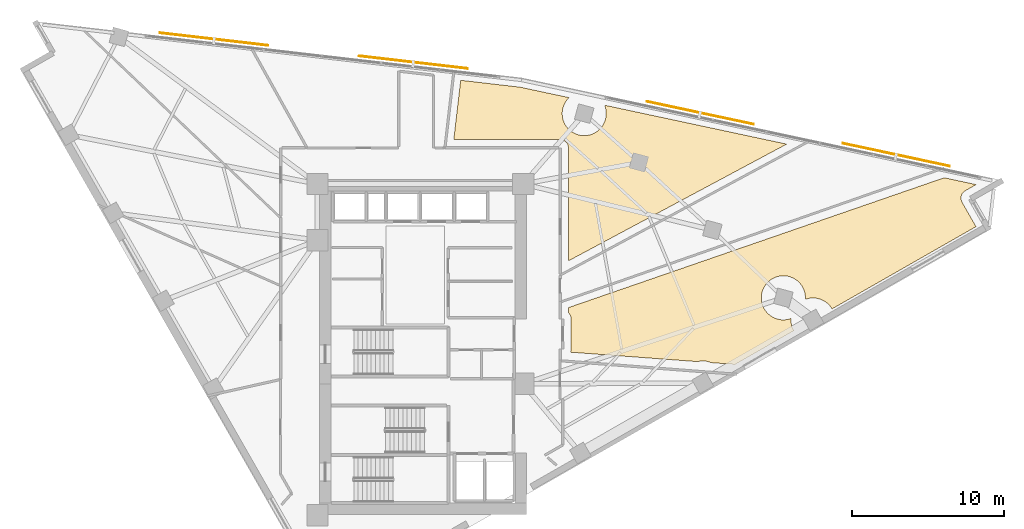
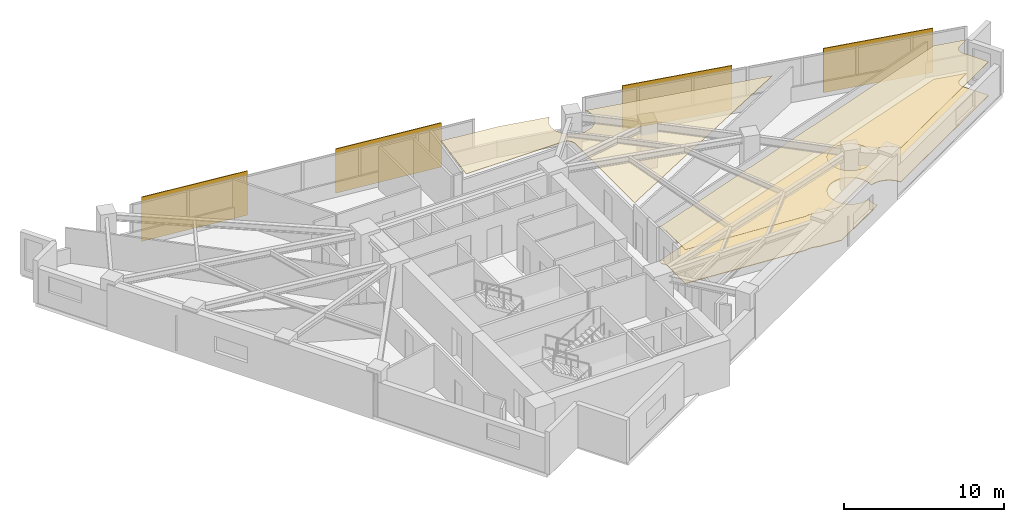
# One storey, part 14 of 14: 4 shading devices, 3 coverings.
"""IFC4 building model written with IfcOpenShell, lengths in metres."""

from ifc_helpers import new_model, si_unit, direction, frame, origin, origin_2d, place, context, subcontext, project, spatial, polyline, rectangle, outline, extrude, material, layer, layer_set, type_object, element, save


model = new_model("IFC4")

# Units and contexts
model_context = context("Model", 3, precision=1e-05, world=origin(), true_north=direction((0.0, 1.0)))
body_context = subcontext(model_context, "Body", "Model", "MODEL_VIEW")
ifc_project = project(units=[si_unit("LENGTHUNIT", "METRE"), si_unit("AREAUNIT", "SQUARE_METRE"), si_unit("VOLUMEUNIT", "CUBIC_METRE"), si_unit("PLANEANGLEUNIT", "RADIAN"), si_unit("MASSUNIT", "GRAM", prefix="KILO")], contexts=[model_context])

# Site, building, storey
site_placement = place(None, origin())
site = spatial("IfcSite", under=ifc_project, at=site_placement, CompositionType="ELEMENT")
building_placement = place(site_placement, origin())
building = spatial("IfcBuilding", under=site, at=building_placement, Name="Narakoshi Arena Tower", CompositionType="ELEMENT")
storey_placement = place(building_placement, frame((0.0, 0.0, 218.5)))
storey = spatial("IfcBuildingStorey", under=building, at=storey_placement, Name="L59", CompositionType="ELEMENT", Elevation=218.5)

# Coverings
ifc_material_1 = material(Name="Acoustic mineral-fibre ceiling tile")
ifc_layer_1 = layer(ifc_material_1, 0.02001953125)
ifc_layer_set_1 = layer_set([ifc_layer_1], Name="Acoustic mineral-fibre ceiling tile")
covering_type_1 = type_object("IfcCoveringType", Name="COV-CLG-AC20", PredefinedType="CEILING", material=ifc_layer_set_1)
covering_1_placement = place(storey_placement, frame((0.0, 0.0, 2.590087890625)))
element("IfcCovering", 1, at=covering_1_placement, inside=storey, type_object=covering_type_1, Name="L59 Suspended Acoustic Ceiling 1", PredefinedType="CEILING", context=body_context, shape_type="SweptSolid", body=[
    extrude(outline(polyline([(88.522216796875, 48.365234375), (113.254638671875, 56.912109375), (115.35791015625, 56.462890625), (114.636962890625, 56.05078125), (114.591552734375, 56.021728515625), (114.549072265625, 55.98828125), (114.510009765625, 55.950927734375), (114.47509765625, 55.909912109375), (114.444091796875, 55.86572265625), (114.417724609375, 55.818603515625), (114.39599609375, 55.769287109375), (114.37939453125, 55.718017578125), (114.36767578125, 55.665283203125), (114.361083984375, 55.61181640625), (114.360107421875, 55.5576171875), (114.3642578125, 55.50390625), (114.373779296875, 55.45068359375), (114.38818359375, 55.398681640625), (114.407958984375, 55.348388671875), (114.432373046875, 55.30029296875), (115.35009765625, 53.694580078125), (105.872314453125, 48.27734375), (105.825439453125, 48.355712890625), (105.74072265625, 48.469970703125), (105.64501953125, 48.5751953125), (105.539794921875, 48.6708984375), (105.42529296875, 48.755615234375), (105.30322265625, 48.828857421875), (105.1748046875, 48.8896484375), (105.040771484375, 48.9375), (104.902587890625, 48.97216796875), (104.761962890625, 48.992919921875), (104.619873046875, 49.0), (104.477783203125, 48.992919921875), (104.3369140625, 48.97216796875), (104.198974609375, 48.9375), (104.11376953125, 48.906982421875), (104.118896484375, 49.009521484375), (104.11181640625, 49.151611328125), (104.0908203125, 49.29248046875), (104.056396484375, 49.430419921875), (104.00830078125, 49.564453125), (103.947509765625, 49.693115234375), (103.87451171875, 49.815185546875), (103.789794921875, 49.929443359375), (103.694091796875, 50.034912109375), (103.588623046875, 50.13037109375), (103.474365234375, 50.215087890625), (103.352294921875, 50.288330078125), (103.2236328125, 50.34912109375), (103.089599609375, 50.397216796875), (102.95166015625, 50.431640625), (102.810791015625, 50.452392578125), (102.668701171875, 50.45947265625), (102.526611328125, 50.452392578125), (102.385986328125, 50.431640625), (102.247802734375, 50.397216796875), (102.114013671875, 50.34912109375), (101.9853515625, 50.288330078125), (101.86328125, 50.215087890625), (101.748779296875, 50.13037109375), (101.6435546875, 50.034912109375), (101.5478515625, 49.929443359375), (101.463134765625, 49.815185546875), (101.389892578125, 49.693115234375), (101.3291015625, 49.564453125), (101.28125, 49.430419921875), (101.24658203125, 49.29248046875), (101.225830078125, 49.151611328125), (101.21875, 49.009521484375), (101.225830078125, 48.867431640625), (101.24658203125, 48.7265625), (101.28125, 48.588623046875), (101.3291015625, 48.45458984375), (101.389892578125, 48.325927734375), (101.463134765625, 48.203857421875), (101.5478515625, 48.089599609375), (101.6435546875, 47.984130859375), (101.748779296875, 47.888671875), (101.86328125, 47.803955078125), (101.9853515625, 47.730712890625), (102.114013671875, 47.669921875), (102.247802734375, 47.621826171875), (102.385986328125, 47.58740234375), (102.526611328125, 47.56640625), (102.668701171875, 47.5595703125), (102.810791015625, 47.56640625), (102.95166015625, 47.58740234375), (103.089599609375, 47.621826171875), (103.1748046875, 47.65234375), (103.169921875, 47.550048828125), (103.1767578125, 47.407958984375), (103.19775390625, 47.26708984375), (103.232177734375, 47.129150390625), (103.2802734375, 46.9951171875), (103.341064453125, 46.866455078125), (103.35693359375, 46.83984375), (99.484619140625, 44.62646484375), (97.92578125, 44.7421875), (97.921875, 44.744140625), (97.787841796875, 44.792236328125), (97.64990234375, 44.82666015625), (97.509033203125, 44.84765625), (97.366943359375, 44.8544921875), (97.224853515625, 44.84765625), (97.083984375, 44.82666015625), (97.0166015625, 44.809814453125), (88.654296875, 45.43115234375), (88.658203125, 45.439453125), (88.67626953125, 45.490234375), (88.689453125, 45.542724609375), (88.697509765625, 45.59619140625), (88.699951171875, 45.64990234375), (88.699951171875, 47.6201171875), (88.697509765625, 47.673828125), (88.689453125, 47.727294921875), (88.67626953125, 47.77978515625), (88.658203125, 47.83056640625), (88.635009765625, 47.87939453125), (88.607421875, 47.925537109375), (88.5751953125, 47.968994140625), (88.538818359375, 48.0087890625), (88.522216796875, 48.024169921875), (88.522216796875, 48.365234375)])), origin(), (0.0, 0.0, 1.0), 0.02001953125),
])
ifc_material_2 = material(Name="Slatted oak acoustic timber baffle", Category="wood")
ifc_layer_2 = layer(ifc_material_2, 0.034912109375)
ifc_layer_set_2 = layer_set([ifc_layer_2], Name="Slatted oak acoustic timber baffle")
covering_type_2 = type_object("IfcCoveringType", Name="COV-CLG-WD35", PredefinedType="CEILING", material=ifc_layer_set_2)
covering_2_placement = place(storey_placement, frame((0.0, 0.0, 2.574951171875)))
element("IfcCovering", 2, at=covering_2_placement, inside=storey, type_object=covering_type_2, Name="L59 Suspended Acoustic Ceiling 2", PredefinedType="CEILING", context=body_context, shape_type="SweptSolid", body=[
    extrude(outline(polyline([(88.56494140625, 62.18603515625), (88.536376953125, 62.159912109375), (88.440673828125, 62.0546875), (88.35595703125, 61.940185546875), (88.28271484375, 61.818115234375), (88.221923828125, 61.689697265625), (88.174072265625, 61.5556640625), (88.139404296875, 61.41748046875), (88.11865234375, 61.27685546875), (88.111572265625, 61.134765625), (88.11865234375, 60.99267578125), (88.139404296875, 60.851806640625), (88.174072265625, 60.7138671875), (88.221923828125, 60.579833984375), (88.28271484375, 60.451171875), (88.35595703125, 60.3291015625), (88.440673828125, 60.21484375), (88.536376953125, 60.109375), (88.6416015625, 60.013916015625), (88.756103515625, 59.92919921875), (88.878173828125, 59.85595703125), (89.006591796875, 59.795166015625), (89.140625, 59.7470703125), (89.27880859375, 59.712646484375), (89.41943359375, 59.691650390625), (89.5615234375, 59.684814453125), (89.70361328125, 59.691650390625), (89.844482421875, 59.712646484375), (89.982421875, 59.7470703125), (90.116455078125, 59.795166015625), (90.2451171875, 59.85595703125), (90.3671875, 59.92919921875), (90.4814453125, 60.013916015625), (90.5869140625, 60.109375), (90.6826171875, 60.21484375), (90.76708984375, 60.3291015625), (90.84033203125, 60.451171875), (90.901123046875, 60.579833984375), (90.94921875, 60.7138671875), (90.983642578125, 60.851806640625), (91.004638671875, 60.99267578125), (91.01171875, 61.134765625), (91.004638671875, 61.27685546875), (90.983642578125, 61.41748046875), (90.94921875, 61.5556640625), (90.902099609375, 61.686767578125), (102.88818359375, 59.12646484375), (88.522216796875, 51.439453125), (88.522216796875, 58.872314453125), (88.51953125, 58.926025390625), (88.51171875, 58.9794921875), (88.49853515625, 59.031982421875), (88.480224609375, 59.082763671875), (88.457275390625, 59.131591796875), (88.429443359375, 59.177734375), (88.3974609375, 59.22119140625), (88.361083984375, 59.260986328125), (88.321044921875, 59.29736328125), (88.27783203125, 59.32958984375), (88.2314453125, 59.357421875), (88.1826171875, 59.38037109375), (88.1318359375, 59.3984375), (88.07958984375, 59.41162109375), (88.026123046875, 59.419677734375), (87.97216796875, 59.422119140625), (80.977294921875, 59.422119140625), (81.4326171875, 63.327392578125), (85.34033203125, 62.875), (88.56494140625, 62.18603515625)])), origin(), (0.0, 0.0, 1.0), 0.03515625),
])
ifc_material_3 = material(Name="Raised steel access floor panel", Category="steel")
ifc_layer_3 = layer(ifc_material_3, 0.044921875)
ifc_layer_set_3 = layer_set([ifc_layer_3], Name="Raised steel access floor panel")
covering_type_3 = type_object("IfcCoveringType", Name="COV-FLR-RF45", PredefinedType="FLOORING", material=ifc_layer_set_3)
covering_3_placement = place(storey_placement, origin())
element("IfcCovering", 3, at=covering_3_placement, inside=storey, type_object=covering_type_3, Name="L59 Raised Steel Access Floor", PredefinedType="FLOORING", context=body_context, shape_type="SweptSolid", body=[
    extrude(outline(polyline([(88.522216796875, 48.365234375), (113.254638671875, 56.912109375), (115.35791015625, 56.462890625), (114.636962890625, 56.05078125), (114.591552734375, 56.021728515625), (114.549072265625, 55.98828125), (114.510009765625, 55.950927734375), (114.47509765625, 55.909912109375), (114.444091796875, 55.86572265625), (114.417724609375, 55.818603515625), (114.39599609375, 55.769287109375), (114.37939453125, 55.718017578125), (114.36767578125, 55.665283203125), (114.361083984375, 55.61181640625), (114.360107421875, 55.5576171875), (114.3642578125, 55.50390625), (114.373779296875, 55.45068359375), (114.38818359375, 55.398681640625), (114.407958984375, 55.348388671875), (114.432373046875, 55.30029296875), (115.35009765625, 53.694580078125), (105.872314453125, 48.27734375), (105.825439453125, 48.355712890625), (105.74072265625, 48.469970703125), (105.64501953125, 48.5751953125), (105.539794921875, 48.6708984375), (105.42529296875, 48.755615234375), (105.30322265625, 48.828857421875), (105.1748046875, 48.8896484375), (105.040771484375, 48.9375), (104.902587890625, 48.97216796875), (104.761962890625, 48.992919921875), (104.619873046875, 49.0), (104.477783203125, 48.992919921875), (104.3369140625, 48.97216796875), (104.198974609375, 48.9375), (104.11376953125, 48.906982421875), (104.118896484375, 49.009521484375), (104.11181640625, 49.151611328125), (104.0908203125, 49.29248046875), (104.056396484375, 49.430419921875), (104.00830078125, 49.564453125), (103.947509765625, 49.693115234375), (103.87451171875, 49.815185546875), (103.789794921875, 49.929443359375), (103.694091796875, 50.034912109375), (103.588623046875, 50.13037109375), (103.474365234375, 50.215087890625), (103.352294921875, 50.288330078125), (103.2236328125, 50.34912109375), (103.089599609375, 50.397216796875), (102.95166015625, 50.431640625), (102.810791015625, 50.452392578125), (102.668701171875, 50.45947265625), (102.526611328125, 50.452392578125), (102.385986328125, 50.431640625), (102.247802734375, 50.397216796875), (102.114013671875, 50.34912109375), (101.9853515625, 50.288330078125), (101.86328125, 50.215087890625), (101.748779296875, 50.13037109375), (101.6435546875, 50.034912109375), (101.5478515625, 49.929443359375), (101.463134765625, 49.815185546875), (101.389892578125, 49.693115234375), (101.3291015625, 49.564453125), (101.28125, 49.430419921875), (101.24658203125, 49.29248046875), (101.225830078125, 49.151611328125), (101.21875, 49.009521484375), (101.225830078125, 48.867431640625), (101.24658203125, 48.7265625), (101.28125, 48.588623046875), (101.3291015625, 48.45458984375), (101.389892578125, 48.325927734375), (101.463134765625, 48.203857421875), (101.5478515625, 48.089599609375), (101.6435546875, 47.984130859375), (101.748779296875, 47.888671875), (101.86328125, 47.803955078125), (101.9853515625, 47.730712890625), (102.114013671875, 47.669921875), (102.247802734375, 47.621826171875), (102.385986328125, 47.58740234375), (102.526611328125, 47.56640625), (102.668701171875, 47.5595703125), (102.810791015625, 47.56640625), (102.95166015625, 47.58740234375), (103.089599609375, 47.621826171875), (103.1748046875, 47.65234375), (103.169921875, 47.550048828125), (103.1767578125, 47.407958984375), (103.19775390625, 47.26708984375), (103.232177734375, 47.129150390625), (103.2802734375, 46.9951171875), (103.341064453125, 46.866455078125), (103.35693359375, 46.83984375), (99.484619140625, 44.62646484375), (97.92578125, 44.7421875), (97.921875, 44.744140625), (97.787841796875, 44.792236328125), (97.64990234375, 44.82666015625), (97.509033203125, 44.84765625), (97.366943359375, 44.8544921875), (97.224853515625, 44.84765625), (97.083984375, 44.82666015625), (97.0166015625, 44.809814453125), (88.654296875, 45.43115234375), (88.658203125, 45.439453125), (88.67626953125, 45.490234375), (88.689453125, 45.542724609375), (88.697509765625, 45.59619140625), (88.699951171875, 45.64990234375), (88.699951171875, 47.6201171875), (88.697509765625, 47.673828125), (88.689453125, 47.727294921875), (88.67626953125, 47.77978515625), (88.658203125, 47.83056640625), (88.635009765625, 47.87939453125), (88.607421875, 47.925537109375), (88.5751953125, 47.968994140625), (88.538818359375, 48.0087890625), (88.522216796875, 48.024169921875), (88.522216796875, 48.365234375)])), origin(), (0.0, 0.0, 1.0), 0.044921875),
])

# Shading devices
ifc_material_4 = material(Name="Perforated bronze ceramic-metal composite")
ifc_layer_4 = layer(ifc_material_4, 0.06005859375)
ifc_layer_set_4 = layer_set([ifc_layer_4], Name="Perforated bronze ceramic-metal composite")
shading_device_type = type_object("IfcShadingDeviceType", Name="SHD-SCR-BRZ2", PredefinedType="USERDEFINED", material=ifc_layer_set_4)
for number, where, z_axis, x_axis, name in (
    (4, (110.10107421875, 58.42431640625, 0.0), (0.0, 0.0, 1.0), (-0.977936632473, 0.208901754101, 0.0), "L59 Perforated Bronze Solar Screen 1-1"),
    (5, (97.1923828125, 61.181640625, 0.0), (0.0, 0.0, 1.0), (-0.977936632473, 0.208901754101, 0.0), "L59 Perforated Bronze Solar Screen 1-2"),
    (6, (78.312255859375, 64.513916015625, 0.0), (0.0, 0.0, 1.0), (-0.993364739053, 0.115006500715, 0.0), "L59 Perforated Bronze Solar Screen 2-1"),
    (7, (65.199951171875, 66.031982421875, 0.0), (0.0, 0.0, 1.0), (-0.993364739053, 0.115006500715, 0.0), "L59 Perforated Bronze Solar Screen 2-2"),
):
    element("IfcShadingDevice", number, at=place(storey_placement, frame(where, z_axis=z_axis, x_axis=x_axis)), inside=storey, type_object=shading_device_type, Name=name, ObjectType="SOLAR SCREEN", PredefinedType="USERDEFINED", context=body_context, shape_type="SweptSolid", body=[
        extrude(rectangle(XDim=7.199951171875, YDim=0.06005859375, at=origin_2d()), origin(), (0.0, 0.0, 1.0), 3.3701171875),
    ])

save(model, "model.ifc")
